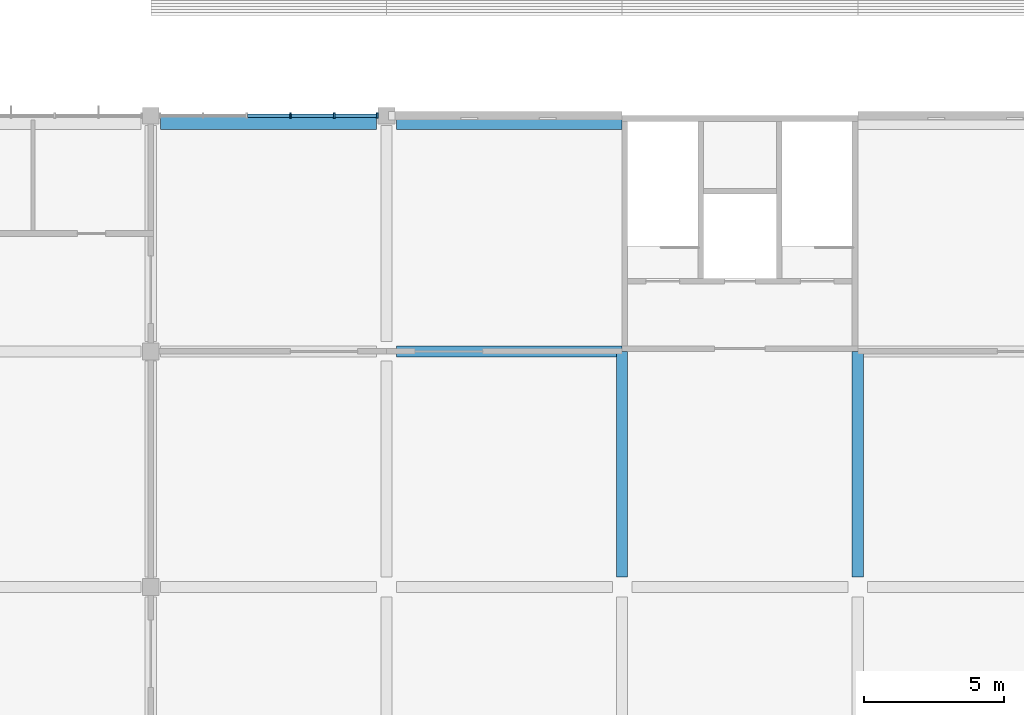
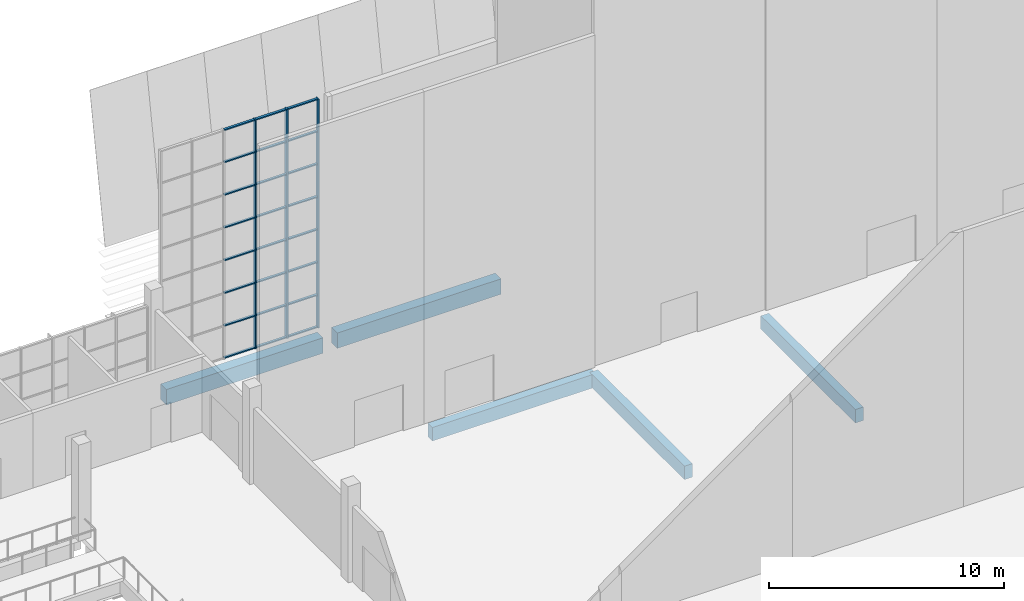
# One storey, part 12 of 59: 27 members, 5 beams, 1 element without a shape of its own.
"""IFC4 building model written with IfcOpenShell, lengths in metres."""

from ifc_helpers import new_model, si_unit, direction, frame, origin, origin_2d, place, context, subcontext, project, spatial, rectangle, extrude, material, material_profile, profile_set, type_object, element, aggregate, save


model = new_model("IFC4")

# Units and contexts
model_context = context("Model", 3, precision=1e-05, world=origin(), true_north=direction((0.0, 1.0)))
body_context = subcontext(model_context, "Body", "Model", "MODEL_VIEW")
ifc_project = project(units=[si_unit("LENGTHUNIT", "METRE"), si_unit("AREAUNIT", "SQUARE_METRE"), si_unit("VOLUMEUNIT", "CUBIC_METRE"), si_unit("PLANEANGLEUNIT", "RADIAN"), si_unit("MASSUNIT", "GRAM", prefix="KILO")], contexts=[model_context])

# Site, building, storey
site_placement = place(None, origin())
site = spatial("IfcSite", under=ifc_project, at=site_placement, CompositionType="ELEMENT")
building_placement = place(site_placement, origin())
building = spatial("IfcBuilding", under=site, at=building_placement, Name="Almond Square Museum", CompositionType="ELEMENT")
storey_placement = place(building_placement, frame((0.0, 0.0, 25.0)))
storey = spatial("IfcBuildingStorey", under=building, at=storey_placement, Name="L04", CompositionType="ELEMENT", Elevation=25.0)

# Curtain wall, members
ifc_material_1 = material(Name="Aluminium and laminated glass", Category="aluminium")
curtain_wall_type = type_object("IfcCurtainWallType", Name="Unitised curtain wall 1500 module", PredefinedType="NOTDEFINED", material=ifc_material_1)
curtain_wall_placement = place(storey_placement, origin())
curtain_wall = element("IfcCurtainWall", 1, at=curtain_wall_placement, inside=storey, type_object=curtain_wall_type, Name="Curtain wall CW-40", PredefinedType="NOTDEFINED")
ifc_material_2 = material(Name="Anodised aluminium", Category="aluminium")
ifc_material_profile_1 = material_profile(ifc_material_2, rectangle(XDim=0.199951171875, YDim=0.06005859375, at=origin_2d()))
ifc_profile_set_1 = profile_set([ifc_material_profile_1], Name="Anodised aluminium")
member_type_1 = type_object("IfcMemberType", Name="Aluminium mullion 60 x 200", PredefinedType="MULLION", material=ifc_profile_set_1)
member_1_placement = place(storey_placement, frame((111.780029296875, 109.199951171875, 0.0), z_axis=(0.0, 0.0, 1.0), x_axis=(0.0, 1.0, 0.0)))
member_1 = element("IfcMember", 2, at=member_1_placement, type_object=member_type_1, Name="CW-40 mullion 4", PredefinedType="MULLION", context=body_context, shape_type="SweptSolid", body=[
    extrude(rectangle(XDim=0.199951171875, YDim=0.06005859375, at=origin_2d()), origin(), (0.0, 0.0, 1.0), 11.89990234375),
])
member_2_placement = place(storey_placement, frame((113.340087890625, 109.199951171875, 0.0), z_axis=(0.0, 0.0, 1.0), x_axis=(0.0, 1.0, 0.0)))
member_2 = element("IfcMember", 3, at=member_2_placement, type_object=member_type_1, Name="CW-40 mullion 5", PredefinedType="MULLION", context=body_context, shape_type="SweptSolid", body=[
    extrude(rectangle(XDim=0.199951171875, YDim=0.06005859375, at=origin_2d()), origin(), (0.0, 0.0, 1.0), 11.89990234375),
])
member_3_placement = place(storey_placement, frame((114.8701171875, 109.199951171875, 0.0), z_axis=(0.0, 0.0, 1.0), x_axis=(0.0, 1.0, 0.0)))
member_3 = element("IfcMember", 4, at=member_3_placement, type_object=member_type_1, Name="CW-40 mullion 6", PredefinedType="MULLION", context=body_context, shape_type="SweptSolid", body=[
    extrude(rectangle(XDim=0.199951171875, YDim=0.06005859375, at=origin_2d()), origin(), (0.0, 0.0, 1.0), 11.89990234375),
])
ifc_material_3 = material(Name="Anodised aluminium", Category="aluminium")
ifc_material_profile_2 = material_profile(ifc_material_3, rectangle(XDim=0.1201171875, YDim=0.06005859375, at=origin_2d()))
ifc_profile_set_2 = profile_set([ifc_material_profile_2], Name="Anodised aluminium")
member_type_2 = type_object("IfcMemberType", Name="Aluminium transom 60 x 120", PredefinedType="USERDEFINED", material=ifc_profile_set_2)
member_4_placement = place(storey_placement, frame((110.25, 109.199951171875, 0.030029296875), z_axis=(1.0, 0.0, 0.0), x_axis=(0.0, 1.0, 0.0)))
member_4 = element("IfcMember", 5, at=member_4_placement, type_object=member_type_2, Name="CW-40 transom 3.1", ObjectType="TRANSOM", PredefinedType="USERDEFINED", context=body_context, shape_type="SweptSolid", body=[
    extrude(rectangle(XDim=0.1201171875, YDim=0.06005859375, at=origin_2d()), origin(), (0.0, 0.0, 1.0), 1.5),
])
member_5_placement = place(storey_placement, frame((110.25, 109.199951171875, 1.699951171875), z_axis=(1.0, 0.0, 0.0), x_axis=(0.0, 1.0, 0.0)))
member_5 = element("IfcMember", 6, at=member_5_placement, type_object=member_type_2, Name="CW-40 transom 3.2", ObjectType="TRANSOM", PredefinedType="USERDEFINED", context=body_context, shape_type="SweptSolid", body=[
    extrude(rectangle(XDim=0.1201171875, YDim=0.06005859375, at=origin_2d()), origin(), (0.0, 0.0, 1.0), 1.5),
])
member_6_placement = place(storey_placement, frame((110.25, 109.199951171875, 3.39990234375), z_axis=(1.0, 0.0, 0.0), x_axis=(0.0, 1.0, 0.0)))
member_6 = element("IfcMember", 7, at=member_6_placement, type_object=member_type_2, Name="CW-40 transom 3.3", ObjectType="TRANSOM", PredefinedType="USERDEFINED", context=body_context, shape_type="SweptSolid", body=[
    extrude(rectangle(XDim=0.1201171875, YDim=0.06005859375, at=origin_2d()), origin(), (0.0, 0.0, 1.0), 1.5),
])
member_7_placement = place(storey_placement, frame((110.25, 109.199951171875, 5.10009765625), z_axis=(1.0, 0.0, 0.0), x_axis=(0.0, 1.0, 0.0)))
member_7 = element("IfcMember", 8, at=member_7_placement, type_object=member_type_2, Name="CW-40 transom 3.4", ObjectType="TRANSOM", PredefinedType="USERDEFINED", context=body_context, shape_type="SweptSolid", body=[
    extrude(rectangle(XDim=0.1201171875, YDim=0.06005859375, at=origin_2d()), origin(), (0.0, 0.0, 1.0), 1.5),
])
member_8_placement = place(storey_placement, frame((110.25, 109.199951171875, 6.800048828125), z_axis=(1.0, 0.0, 0.0), x_axis=(0.0, 1.0, 0.0)))
member_8 = element("IfcMember", 9, at=member_8_placement, type_object=member_type_2, Name="CW-40 transom 3.5", ObjectType="TRANSOM", PredefinedType="USERDEFINED", context=body_context, shape_type="SweptSolid", body=[
    extrude(rectangle(XDim=0.1201171875, YDim=0.06005859375, at=origin_2d()), origin(), (0.0, 0.0, 1.0), 1.5),
])
member_9_placement = place(storey_placement, frame((110.25, 109.199951171875, 8.5), z_axis=(1.0, 0.0, 0.0), x_axis=(0.0, 1.0, 0.0)))
member_9 = element("IfcMember", 10, at=member_9_placement, type_object=member_type_2, Name="CW-40 transom 3.6", ObjectType="TRANSOM", PredefinedType="USERDEFINED", context=body_context, shape_type="SweptSolid", body=[
    extrude(rectangle(XDim=0.1201171875, YDim=0.06005859375, at=origin_2d()), origin(), (0.0, 0.0, 1.0), 1.5),
])
member_10_placement = place(storey_placement, frame((110.25, 109.199951171875, 10.199951171875), z_axis=(1.0, 0.0, 0.0), x_axis=(0.0, 1.0, 0.0)))
member_10 = element("IfcMember", 11, at=member_10_placement, type_object=member_type_2, Name="CW-40 transom 3.7", ObjectType="TRANSOM", PredefinedType="USERDEFINED", context=body_context, shape_type="SweptSolid", body=[
    extrude(rectangle(XDim=0.1201171875, YDim=0.06005859375, at=origin_2d()), origin(), (0.0, 0.0, 1.0), 1.5),
])
member_11_placement = place(storey_placement, frame((110.25, 109.199951171875, 11.8701171875), z_axis=(1.0, 0.0, 0.0), x_axis=(0.0, 1.0, 0.0)))
member_11 = element("IfcMember", 12, at=member_11_placement, type_object=member_type_2, Name="CW-40 transom 3.8", ObjectType="TRANSOM", PredefinedType="USERDEFINED", context=body_context, shape_type="SweptSolid", body=[
    extrude(rectangle(XDim=0.1201171875, YDim=0.06005859375, at=origin_2d()), origin(), (0.0, 0.0, 1.0), 1.5),
])
member_12_placement = place(storey_placement, frame((111.81005859375, 109.199951171875, 0.030029296875), z_axis=(1.0, 0.0, 0.0), x_axis=(0.0, 1.0, 0.0)))
member_12 = element("IfcMember", 13, at=member_12_placement, type_object=member_type_2, Name="CW-40 transom 4.1", ObjectType="TRANSOM", PredefinedType="USERDEFINED", context=body_context, shape_type="SweptSolid", body=[
    extrude(rectangle(XDim=0.1201171875, YDim=0.06005859375, at=origin_2d()), origin(), (0.0, 0.0, 1.0), 1.5),
])
member_13_placement = place(storey_placement, frame((111.81005859375, 109.199951171875, 1.699951171875), z_axis=(1.0, 0.0, 0.0), x_axis=(0.0, 1.0, 0.0)))
member_13 = element("IfcMember", 14, at=member_13_placement, type_object=member_type_2, Name="CW-40 transom 4.2", ObjectType="TRANSOM", PredefinedType="USERDEFINED", context=body_context, shape_type="SweptSolid", body=[
    extrude(rectangle(XDim=0.1201171875, YDim=0.06005859375, at=origin_2d()), origin(), (0.0, 0.0, 1.0), 1.5),
])
member_14_placement = place(storey_placement, frame((111.81005859375, 109.199951171875, 3.39990234375), z_axis=(1.0, 0.0, 0.0), x_axis=(0.0, 1.0, 0.0)))
member_14 = element("IfcMember", 15, at=member_14_placement, type_object=member_type_2, Name="CW-40 transom 4.3", ObjectType="TRANSOM", PredefinedType="USERDEFINED", context=body_context, shape_type="SweptSolid", body=[
    extrude(rectangle(XDim=0.1201171875, YDim=0.06005859375, at=origin_2d()), origin(), (0.0, 0.0, 1.0), 1.5),
])
member_15_placement = place(storey_placement, frame((111.81005859375, 109.199951171875, 5.10009765625), z_axis=(1.0, 0.0, 0.0), x_axis=(0.0, 1.0, 0.0)))
member_15 = element("IfcMember", 16, at=member_15_placement, type_object=member_type_2, Name="CW-40 transom 4.4", ObjectType="TRANSOM", PredefinedType="USERDEFINED", context=body_context, shape_type="SweptSolid", body=[
    extrude(rectangle(XDim=0.1201171875, YDim=0.06005859375, at=origin_2d()), origin(), (0.0, 0.0, 1.0), 1.5),
])
member_16_placement = place(storey_placement, frame((111.81005859375, 109.199951171875, 6.800048828125), z_axis=(1.0, 0.0, 0.0), x_axis=(0.0, 1.0, 0.0)))
member_16 = element("IfcMember", 17, at=member_16_placement, type_object=member_type_2, Name="CW-40 transom 4.5", ObjectType="TRANSOM", PredefinedType="USERDEFINED", context=body_context, shape_type="SweptSolid", body=[
    extrude(rectangle(XDim=0.1201171875, YDim=0.06005859375, at=origin_2d()), origin(), (0.0, 0.0, 1.0), 1.5),
])
member_17_placement = place(storey_placement, frame((111.81005859375, 109.199951171875, 8.5), z_axis=(1.0, 0.0, 0.0), x_axis=(0.0, 1.0, 0.0)))
member_17 = element("IfcMember", 18, at=member_17_placement, type_object=member_type_2, Name="CW-40 transom 4.6", ObjectType="TRANSOM", PredefinedType="USERDEFINED", context=body_context, shape_type="SweptSolid", body=[
    extrude(rectangle(XDim=0.1201171875, YDim=0.06005859375, at=origin_2d()), origin(), (0.0, 0.0, 1.0), 1.5),
])
member_18_placement = place(storey_placement, frame((111.81005859375, 109.199951171875, 10.199951171875), z_axis=(1.0, 0.0, 0.0), x_axis=(0.0, 1.0, 0.0)))
member_18 = element("IfcMember", 19, at=member_18_placement, type_object=member_type_2, Name="CW-40 transom 4.7", ObjectType="TRANSOM", PredefinedType="USERDEFINED", context=body_context, shape_type="SweptSolid", body=[
    extrude(rectangle(XDim=0.1201171875, YDim=0.06005859375, at=origin_2d()), origin(), (0.0, 0.0, 1.0), 1.5),
])
member_19_placement = place(storey_placement, frame((111.81005859375, 109.199951171875, 11.8701171875), z_axis=(1.0, 0.0, 0.0), x_axis=(0.0, 1.0, 0.0)))
member_19 = element("IfcMember", 20, at=member_19_placement, type_object=member_type_2, Name="CW-40 transom 4.8", ObjectType="TRANSOM", PredefinedType="USERDEFINED", context=body_context, shape_type="SweptSolid", body=[
    extrude(rectangle(XDim=0.1201171875, YDim=0.06005859375, at=origin_2d()), origin(), (0.0, 0.0, 1.0), 1.5),
])
member_20_placement = place(storey_placement, frame((113.3701171875, 109.199951171875, 0.030029296875), z_axis=(1.0, 0.0, 0.0), x_axis=(0.0, 1.0, 0.0)))
member_20 = element("IfcMember", 21, at=member_20_placement, type_object=member_type_2, Name="CW-40 transom 5.1", ObjectType="TRANSOM", PredefinedType="USERDEFINED", context=body_context, shape_type="SweptSolid", body=[
    extrude(rectangle(XDim=0.1201171875, YDim=0.06005859375, at=origin_2d()), origin(), (0.0, 0.0, 1.0), 1.469970703125),
])
member_21_placement = place(storey_placement, frame((113.3701171875, 109.199951171875, 1.699951171875), z_axis=(1.0, 0.0, 0.0), x_axis=(0.0, 1.0, 0.0)))
member_21 = element("IfcMember", 22, at=member_21_placement, type_object=member_type_2, Name="CW-40 transom 5.2", ObjectType="TRANSOM", PredefinedType="USERDEFINED", context=body_context, shape_type="SweptSolid", body=[
    extrude(rectangle(XDim=0.1201171875, YDim=0.06005859375, at=origin_2d()), origin(), (0.0, 0.0, 1.0), 1.469970703125),
])
member_22_placement = place(storey_placement, frame((113.3701171875, 109.199951171875, 3.39990234375), z_axis=(1.0, 0.0, 0.0), x_axis=(0.0, 1.0, 0.0)))
member_22 = element("IfcMember", 23, at=member_22_placement, type_object=member_type_2, Name="CW-40 transom 5.3", ObjectType="TRANSOM", PredefinedType="USERDEFINED", context=body_context, shape_type="SweptSolid", body=[
    extrude(rectangle(XDim=0.1201171875, YDim=0.06005859375, at=origin_2d()), origin(), (0.0, 0.0, 1.0), 1.469970703125),
])
member_23_placement = place(storey_placement, frame((113.3701171875, 109.199951171875, 5.10009765625), z_axis=(1.0, 0.0, 0.0), x_axis=(0.0, 1.0, 0.0)))
member_23 = element("IfcMember", 24, at=member_23_placement, type_object=member_type_2, Name="CW-40 transom 5.4", ObjectType="TRANSOM", PredefinedType="USERDEFINED", context=body_context, shape_type="SweptSolid", body=[
    extrude(rectangle(XDim=0.1201171875, YDim=0.06005859375, at=origin_2d()), origin(), (0.0, 0.0, 1.0), 1.469970703125),
])
member_24_placement = place(storey_placement, frame((113.3701171875, 109.199951171875, 6.800048828125), z_axis=(1.0, 0.0, 0.0), x_axis=(0.0, 1.0, 0.0)))
member_24 = element("IfcMember", 25, at=member_24_placement, type_object=member_type_2, Name="CW-40 transom 5.5", ObjectType="TRANSOM", PredefinedType="USERDEFINED", context=body_context, shape_type="SweptSolid", body=[
    extrude(rectangle(XDim=0.1201171875, YDim=0.06005859375, at=origin_2d()), origin(), (0.0, 0.0, 1.0), 1.469970703125),
])
member_25_placement = place(storey_placement, frame((113.3701171875, 109.199951171875, 8.5), z_axis=(1.0, 0.0, 0.0), x_axis=(0.0, 1.0, 0.0)))
member_25 = element("IfcMember", 26, at=member_25_placement, type_object=member_type_2, Name="CW-40 transom 5.6", ObjectType="TRANSOM", PredefinedType="USERDEFINED", context=body_context, shape_type="SweptSolid", body=[
    extrude(rectangle(XDim=0.1201171875, YDim=0.06005859375, at=origin_2d()), origin(), (0.0, 0.0, 1.0), 1.469970703125),
])
member_26_placement = place(storey_placement, frame((113.3701171875, 109.199951171875, 10.199951171875), z_axis=(1.0, 0.0, 0.0), x_axis=(0.0, 1.0, 0.0)))
member_26 = element("IfcMember", 27, at=member_26_placement, type_object=member_type_2, Name="CW-40 transom 5.7", ObjectType="TRANSOM", PredefinedType="USERDEFINED", context=body_context, shape_type="SweptSolid", body=[
    extrude(rectangle(XDim=0.1201171875, YDim=0.06005859375, at=origin_2d()), origin(), (0.0, 0.0, 1.0), 1.469970703125),
])
member_27_placement = place(storey_placement, frame((113.3701171875, 109.199951171875, 11.8701171875), z_axis=(1.0, 0.0, 0.0), x_axis=(0.0, 1.0, 0.0)))
member_27 = element("IfcMember", 28, at=member_27_placement, type_object=member_type_2, Name="CW-40 transom 5.8", ObjectType="TRANSOM", PredefinedType="USERDEFINED", context=body_context, shape_type="SweptSolid", body=[
    extrude(rectangle(XDim=0.1201171875, YDim=0.06005859375, at=origin_2d()), origin(), (0.0, 0.0, 1.0), 1.469970703125),
])
aggregate(curtain_wall, [member_1, member_2, member_3, member_4, member_5, member_6, member_7, member_8, member_9, member_10, member_11, member_12, member_13, member_14, member_15, member_16, member_17, member_18, member_19, member_20, member_21, member_22, member_23, member_24, member_25, member_26, member_27])

# Beams
ifc_material_4 = material(Name="Concrete C40/50", Category="concrete")
ifc_material_profile_3 = material_profile(ifc_material_4, rectangle(XDim=0.39990234375, YDim=0.699951171875, at=origin_2d()))
ifc_profile_set_3 = profile_set([ifc_material_profile_3], Name="Concrete C40/50")
beam_type_1 = type_object("IfcBeamType", Name="RC beam 400 x 700 C40/50", PredefinedType="BEAM", material=ifc_profile_set_3)
for number, where, z_axis, x_axis, name in (
    (29, (115.550048828125, 100.800048828125, -0.60009765625), (1.0, 0.0, 0.0), (0.0, 1.0, 0.0), "Beam M 15-16 L04"),
    (30, (123.60009765625, 92.75, -0.60009765625), (0.0, 1.0, 0.0), (-1.0, 0.0, 0.0), "Beam 16 L-M L04"),
    (31, (132.0, 92.75, -0.60009765625), (0.0, 1.0, 0.0), (-1.0, 0.0, 0.0), "Beam 17 L-M L04"),
):
    element("IfcBeam", number, at=place(storey_placement, frame(where, z_axis=z_axis, x_axis=x_axis)), inside=storey, type_object=beam_type_1, Name=name, PredefinedType="BEAM", context=body_context, shape_type="SweptSolid", body=[
        extrude(rectangle(XDim=0.39990234375, YDim=0.699951171875, at=origin_2d()), origin(), (0.0, 0.0, 1.0), 8.050048828125),
    ])
ifc_material_5 = material(Name="Concrete C40/50", Category="concrete")
ifc_material_profile_4 = material_profile(ifc_material_5, rectangle(XDim=0.5, YDim=0.800048828125, at=origin_2d()))
ifc_profile_set_4 = profile_set([ifc_material_profile_4], Name="Concrete C40/50")
beam_type_2 = type_object("IfcBeamType", Name="RC edge beam 500 x 800 C40/50", PredefinedType="BEAM", material=ifc_profile_set_4)
beam_1_placement = place(storey_placement, frame((107.14990234375, 108.949951171875, -0.64990234375), z_axis=(1.0, 0.0, 0.0), x_axis=(0.0, 1.0, 0.0)))
element("IfcBeam", 32, at=beam_1_placement, inside=storey, type_object=beam_type_2, Name="Edge beam N 14-15 L04", PredefinedType="BEAM", context=body_context, shape_type="SweptSolid", body=[
    extrude(rectangle(XDim=0.5, YDim=0.800048828125, at=origin_2d()), origin(), (0.0, 0.0, 1.0), 7.7001953125),
])
beam_2_placement = place(storey_placement, frame((115.550048828125, 108.949951171875, -0.64990234375), z_axis=(1.0, 0.0, 0.0), x_axis=(0.0, 1.0, 0.0)))
element("IfcBeam", 33, at=beam_2_placement, inside=storey, type_object=beam_type_2, Name="Edge beam N 15-16 L04", PredefinedType="BEAM", context=body_context, shape_type="SweptSolid", body=[
    extrude(rectangle(XDim=0.5, YDim=0.800048828125, at=origin_2d()), origin(), (0.0, 0.0, 1.0), 8.050048828125),
])

save(model, "model.ifc")
